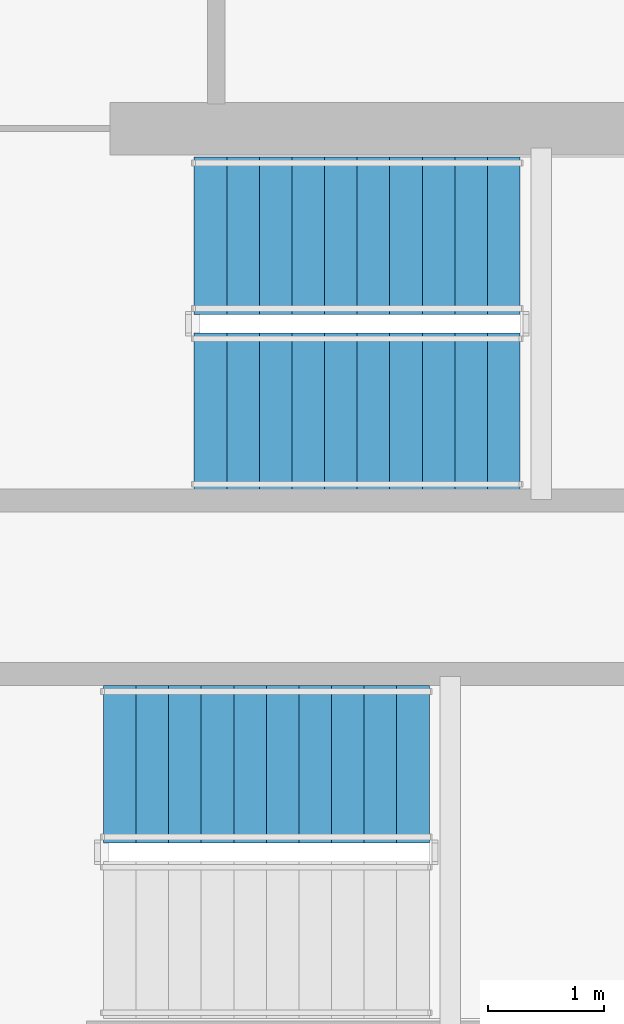
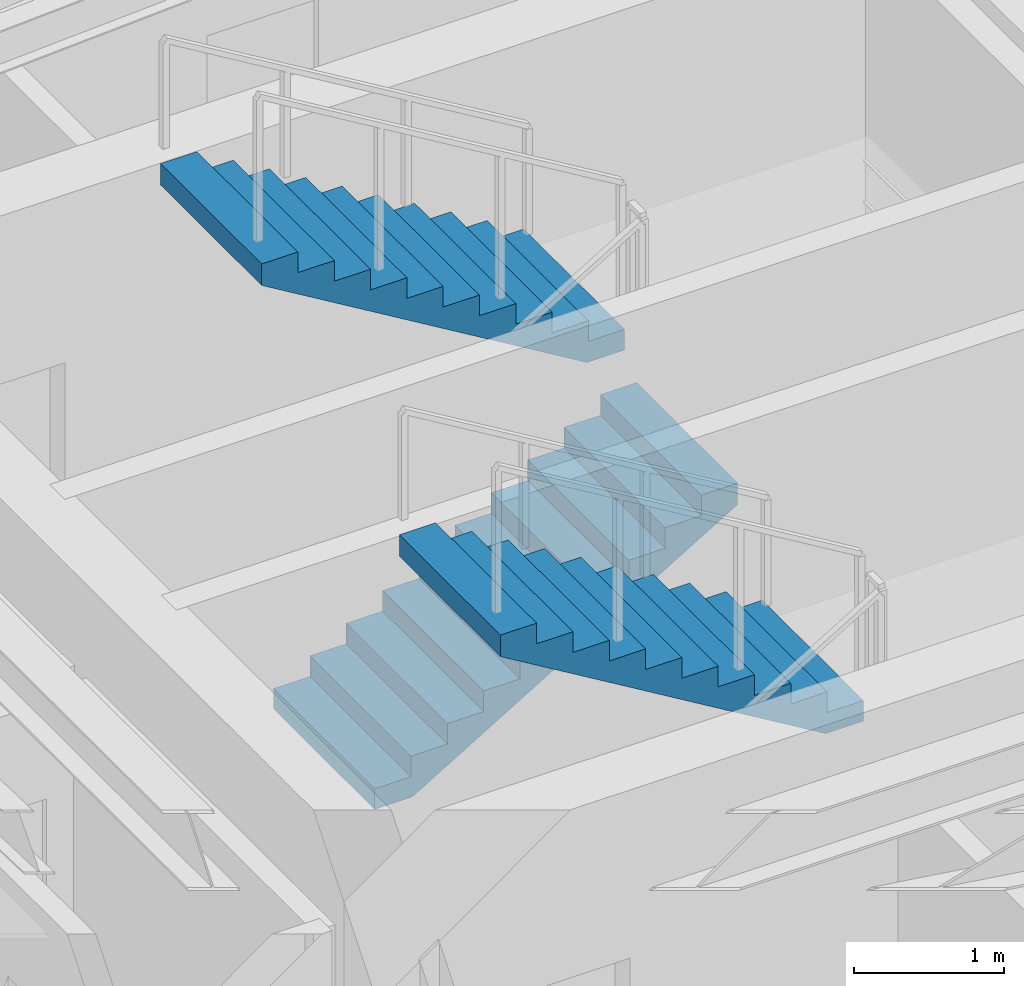
# One storey, part 18 of 20: 3 stair flights, 2 elements without a shape of their own.
"""IFC4 building model written with IfcOpenShell, lengths in metres."""

from ifc_helpers import new_model, si_unit, direction, frame, origin, place, context, subcontext, project, spatial, polyline, outline, extrude, material, type_object, element, aggregate, save


model = new_model("IFC4")

# Units and contexts
model_context = context("Model", 3, precision=1e-05, world=origin(), true_north=direction((0.0, 1.0)))
body_context = subcontext(model_context, "Body", "Model", "MODEL_VIEW")
ifc_project = project(units=[si_unit("LENGTHUNIT", "METRE"), si_unit("AREAUNIT", "SQUARE_METRE"), si_unit("VOLUMEUNIT", "CUBIC_METRE"), si_unit("PLANEANGLEUNIT", "RADIAN"), si_unit("MASSUNIT", "GRAM", prefix="KILO")], contexts=[model_context])

# Site, building, storey
site_placement = place(None, origin())
site = spatial("IfcSite", under=ifc_project, at=site_placement, CompositionType="ELEMENT")
building_placement = place(site_placement, origin())
building = spatial("IfcBuilding", under=site, at=building_placement, Name="Qianvela Tower", CompositionType="ELEMENT")
storey_placement = place(building_placement, frame((0.0, 0.0, 239.0)))
storey = spatial("IfcBuildingStorey", under=building, at=storey_placement, Name="L61", CompositionType="ELEMENT", Elevation=239.0)

# Stair, stair flights
ifc_material_1 = material(Name="Concrete C40", Category="concrete")
stair_type = type_object("IfcStairType", Name="ST-DOGLEG-1350-R168-N22", PredefinedType="HALF_TURN_STAIR", material=ifc_material_1)
stair_1_placement = place(storey_placement, origin())
stair_1 = element("IfcStair", 1, at=stair_1_placement, inside=storey, type_object=stair_type, Name="L61 Smoke-Proof Core Stair ST-1", PredefinedType="HALF_TURN_STAIR")
ifc_material_2 = material(Name="Concrete C40", Category="concrete")
stair_flight_type = type_object("IfcStairFlightType", Name="STF-STRAIGHT-R168-P11", PredefinedType="STRAIGHT", material=ifc_material_2)
stair_flight_1_placement = place(storey_placement, frame((32.199951171875, 30.215087890625, 0.0), z_axis=(0.0, 0.0, 1.0), x_axis=(1.0, 0.0, 0.0)))
stair_flight_1 = element("IfcStairFlight", 2, at=stair_flight_1_placement, type_object=stair_flight_type, Name="ST-1 flight 1", NumberOfRisers=11, NumberOfTreads=10, PredefinedType="STRAIGHT", RiserHeight=0.168181818, TreadLength=0.28, context=body_context, shape_type="SweptSolid", body=[
    extrude(outline(polyline([(0.0, 0.0), (0.0, 0.168212890625), (0.280029296875, 0.168212890625), (0.280029296875, 0.33642578125), (0.56005859375, 0.33642578125), (0.56005859375, 0.504638671875), (0.840087890625, 0.504638671875), (0.840087890625, 0.672607421875), (1.1201171875, 0.672607421875), (1.1201171875, 0.8408203125), (1.39990234375, 0.8408203125), (1.39990234375, 1.009033203125), (1.679931640625, 1.009033203125), (1.679931640625, 1.17724609375), (1.9599609375, 1.17724609375), (1.9599609375, 1.345458984375), (2.239990234375, 1.345458984375), (2.239990234375, 1.513671875), (2.52001953125, 1.513671875), (2.52001953125, 1.681884765625), (2.800048828125, 1.681884765625), (2.800048828125, 1.85009765625), (2.800048828125, 1.5068359375), (0.291015625, 0.0), (0.0, 0.0)])), frame((0.0, 0.675048828125, 0.0), z_axis=(0.0, -1.0, 0.0), x_axis=(1.0, 0.0, 0.0)), (0.0, 0.0, 1.0), 1.35009765625),
])
stair_flight_2_placement = place(storey_placement, frame((35.0, 31.72509765625, 1.85009765625), z_axis=(0.0, 0.0, 1.0), x_axis=(-1.0, 0.0, 0.0)))
stair_flight_2 = element("IfcStairFlight", 3, at=stair_flight_2_placement, type_object=stair_flight_type, Name="ST-1 flight 2", NumberOfRisers=11, NumberOfTreads=10, PredefinedType="STRAIGHT", RiserHeight=0.168181818, TreadLength=0.28, context=body_context, shape_type="SweptSolid", body=[
    extrude(outline(polyline([(0.0, 0.0), (0.0, 0.168212890625), (0.280029296875, 0.168212890625), (0.280029296875, 0.33642578125), (0.56005859375, 0.33642578125), (0.56005859375, 0.504638671875), (0.840087890625, 0.504638671875), (0.840087890625, 0.672607421875), (1.1201171875, 0.672607421875), (1.1201171875, 0.8408203125), (1.39990234375, 0.8408203125), (1.39990234375, 1.009033203125), (1.679931640625, 1.009033203125), (1.679931640625, 1.17724609375), (1.9599609375, 1.17724609375), (1.9599609375, 1.345458984375), (2.239990234375, 1.345458984375), (2.239990234375, 1.513671875), (2.52001953125, 1.513671875), (2.52001953125, 1.681884765625), (2.800048828125, 1.681884765625), (2.800048828125, 1.85009765625), (2.800048828125, 1.5068359375), (0.291015625, 0.0), (0.0, 0.0)])), frame((0.0, 0.675048828125, 0.0), z_axis=(0.0, -1.0, 0.0), x_axis=(1.0, 0.0, 0.0)), (0.0, 0.0, 1.0), 1.35009765625),
])
aggregate(stair_1, [stair_flight_1, stair_flight_2])

# Stair, stair flight
stair_2_placement = place(storey_placement, origin())
stair_2 = element("IfcStair", 4, at=stair_2_placement, inside=storey, type_object=stair_type, Name="L61 Smoke-Proof Core Stair ST-2", PredefinedType="HALF_TURN_STAIR")
stair_flight_3_placement = place(storey_placement, frame((34.219970703125, 27.18505859375, 1.85009765625), z_axis=(0.0, 0.0, 1.0), x_axis=(-1.0, 0.0, 0.0)))
stair_flight_3 = element("IfcStairFlight", 5, at=stair_flight_3_placement, type_object=stair_flight_type, Name="ST-2 flight 2", NumberOfRisers=11, NumberOfTreads=10, PredefinedType="STRAIGHT", RiserHeight=0.168181818, TreadLength=0.28, context=body_context, shape_type="SweptSolid", body=[
    extrude(outline(polyline([(0.0, 0.0), (0.0, 0.168212890625), (0.280029296875, 0.168212890625), (0.280029296875, 0.33642578125), (0.56005859375, 0.33642578125), (0.56005859375, 0.504638671875), (0.840087890625, 0.504638671875), (0.840087890625, 0.672607421875), (1.1201171875, 0.672607421875), (1.1201171875, 0.8408203125), (1.39990234375, 0.8408203125), (1.39990234375, 1.009033203125), (1.679931640625, 1.009033203125), (1.679931640625, 1.17724609375), (1.9599609375, 1.17724609375), (1.9599609375, 1.345458984375), (2.239990234375, 1.345458984375), (2.239990234375, 1.513671875), (2.52001953125, 1.513671875), (2.52001953125, 1.681884765625), (2.800048828125, 1.681884765625), (2.800048828125, 1.85009765625), (2.800048828125, 1.5068359375), (0.291015625, 0.0), (0.0, 0.0)])), frame((0.0, 0.675048828125, 0.0), z_axis=(0.0, -1.0, 0.0), x_axis=(1.0, 0.0, 0.0)), (0.0, 0.0, 1.0), 1.35009765625),
])
aggregate(stair_2, [stair_flight_3])

save(model, "model.ifc")
